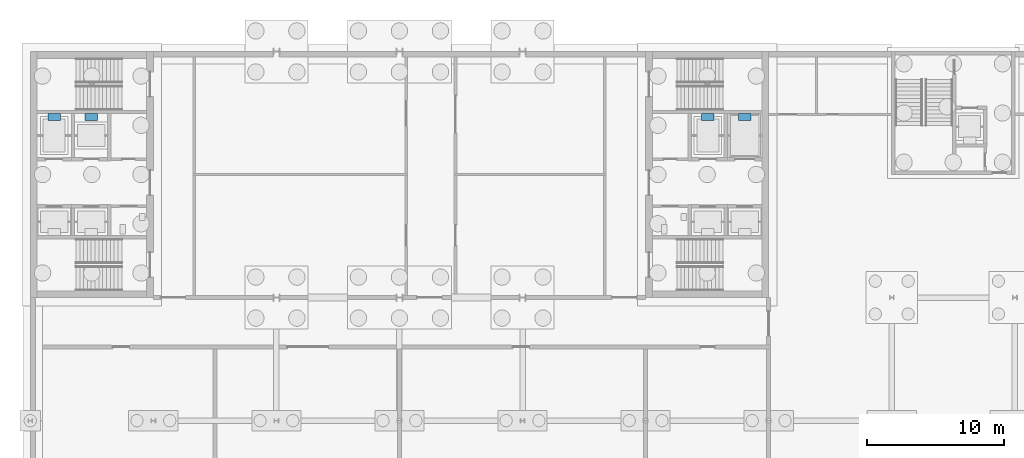
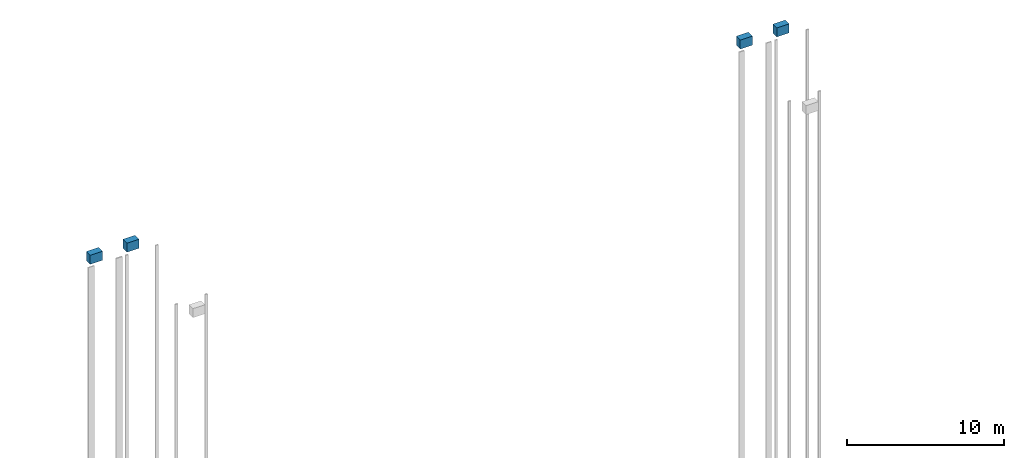
# One storey, part 34 of 41: 4 discrete accessories.
"""IFC4 building model written with IfcOpenShell, lengths in metres."""

from ifc_helpers import new_model, si_unit, direction, frame, origin, origin_2d, place, context, subcontext, project, spatial, rectangle, extrude, material, type_object, element, save


model = new_model("IFC4")

# Units and contexts
model_context = context("Model", 3, precision=1e-05, world=origin(), true_north=direction((0.0, 1.0)))
body_context = subcontext(model_context, "Body", "Model", "MODEL_VIEW")
ifc_project = project(units=[si_unit("LENGTHUNIT", "METRE"), si_unit("AREAUNIT", "SQUARE_METRE"), si_unit("VOLUMEUNIT", "CUBIC_METRE"), si_unit("PLANEANGLEUNIT", "RADIAN"), si_unit("MASSUNIT", "GRAM", prefix="KILO")], contexts=[model_context])

# Site, building, storey
site_placement = place(None, origin())
site = spatial("IfcSite", under=ifc_project, at=site_placement, CompositionType="ELEMENT")
building_placement = place(site_placement, origin())
building = spatial("IfcBuilding", under=site, at=building_placement, Name="Corbel Yard City Hall", CompositionType="ELEMENT")
storey_placement = place(building_placement, frame((0.0, 0.0, -4.5)))
storey = spatial("IfcBuildingStorey", under=building, at=storey_placement, Name="B1", CompositionType="ELEMENT", Elevation=-4.5)

# Discrete accessories
ifc_material = material(Name="Steel Grade G250", Category="steel")
discrete_accessory_type = type_object("IfcDiscreteAccessoryType", Name="LM1", PredefinedType="USERDEFINED", material=ifc_material)
for number, where, z_axis, x_axis, name in (
    (1, (4.449951171875, 112.199951171875, 78.2998046875), (0.0, 0.0, 1.0), (1.0, 0.0, 0.0), "Lift LP24 drive machine"),
    (2, (1.75, 112.199951171875, 78.2998046875), (0.0, 0.0, 1.0), (1.0, 0.0, 0.0), "Lift LF1 drive machine"),
    (3, (49.550048828125, 112.199951171875, 78.2998046875), (0.0, 0.0, 1.0), (1.0, 0.0, 0.0), "Lift LF2 drive machine"),
    (4, (52.25, 112.199951171875, 78.2998046875), (0.0, 0.0, 1.0), (1.0, 0.0, 0.0), "Lift LG1 drive machine"),
):
    element("IfcDiscreteAccessory", number, at=place(storey_placement, frame(where, z_axis=z_axis, x_axis=x_axis)), inside=storey, type_object=discrete_accessory_type, Name=name, ObjectType="LIFT MACHINE", PredefinedType="USERDEFINED", context=body_context, shape_type="SweptSolid", body=[
        extrude(rectangle(XDim=0.89990234375, YDim=0.5, at=origin_2d()), origin(), (0.0, 0.0, 1.0), 0.699951171875),
    ])

save(model, "model.ifc")
